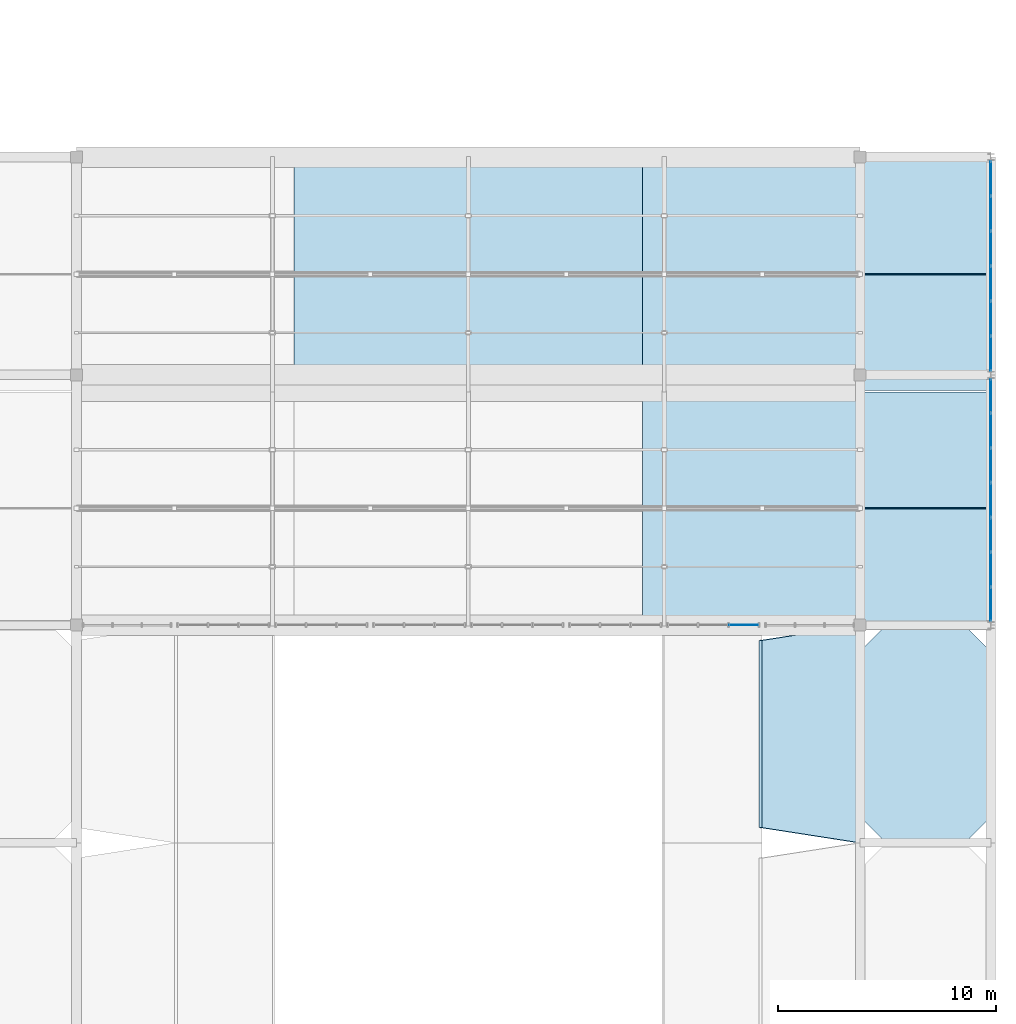
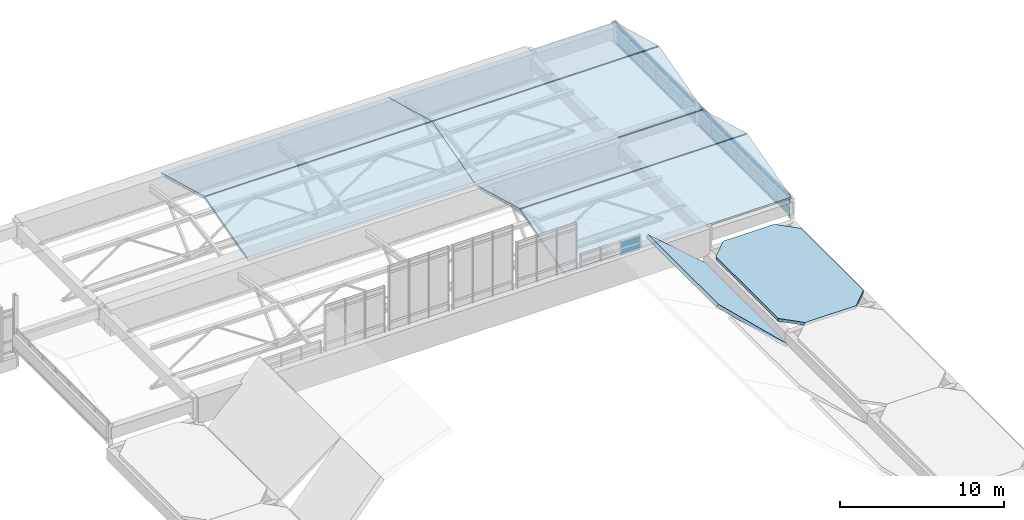
# One storey, part 73 of 82: 28 plates, 8 slabs, 3 elements without a shape of their own.
"""IFC4 building model written with IfcOpenShell, lengths in metres."""

import ifcopenshell
import ifcopenshell.guid

model = None  # the IFC model being written
_history = None  # IfcOwnerHistory: only IFC2X3 demands one
_inside = {}  # id of a spatial element -> (the spatial element, [elements in it])
_under = {}  # id of a project, library or spatial element -> (it, [spatial elements below it])
_declared = {}  # id of a project -> (the project, [libraries it declares])
_typed = {}  # id of a type object -> (the type object, [elements of that type])
_made_of = {}  # id of a material, layer set ... -> (it, [elements and type objects made of it])


def new_model(schema):
    """Start an empty IFC model of exactly this schema.

    Asked for "IFC4X3", IfcOpenShell would pick the latest addendum, in which some entities
    have other attributes; the version numbers below select the first issue.
    IFC2X3 requires an IfcOwnerHistory on every rooted entity: one is made here for all.
    """
    global model, _history
    if schema == "IFC4X3":
        model = ifcopenshell.file(schema_version=(4, 3, 0, 0))
    else:
        model = ifcopenshell.file(schema=schema)
    _inside.clear()
    _under.clear()
    _declared.clear()
    _typed.clear()
    _made_of.clear()
    _history = None
    if model.schema == "IFC2X3":
        org = make("IfcOrganization", Name="unknown")
        user = make(
            "IfcPersonAndOrganization",
            ThePerson=make("IfcPerson", FamilyName="unknown"),
            TheOrganization=org,
        )
        app = make(
            "IfcApplication",
            ApplicationDeveloper=org,
            Version="unknown",
            ApplicationFullName="unknown",
            ApplicationIdentifier="unknown",
        )
        _history = make(
            "IfcOwnerHistory",
            OwningUser=user,
            OwningApplication=app,
            ChangeAction="ADDED",
            CreationDate=0,
        )
    return model


def make(cls, **values):
    """One entity of the class cls with the attributes given. An attribute that is None is left unset."""
    return model.create_entity(
        cls, **{name: value for name, value in values.items() if value is not None}
    )


def rooted(cls, **values):
    """An entity with a GlobalId (a new one), such as an element, a storey or a relation."""
    return make(cls, GlobalId=ifcopenshell.guid.new(), OwnerHistory=_history, **values)


def si_unit(unit_type, name, prefix=None):
    """IfcSIUnit, for example si_unit("LENGTHUNIT", "METRE", prefix="MILLI")."""
    return make("IfcSIUnit", UnitType=unit_type, Prefix=prefix, Name=name)


def assignment(units):
    """IfcUnitAssignment: the units of a project."""
    return None if units is None else make("IfcUnitAssignment", Units=units)


def point(xyz):
    """IfcCartesianPoint."""
    return None if xyz is None else make("IfcCartesianPoint", Coordinates=xyz)


def direction(xyz):
    """IfcDirection."""
    return None if xyz is None else make("IfcDirection", DirectionRatios=xyz)


def frame(location, z_axis=None, x_axis=None):
    """IfcAxis2Placement3D, a coordinate frame: its origin and axes. An axis left out is left unset."""
    return make(
        "IfcAxis2Placement3D",
        Location=point(location),
        Axis=direction(z_axis),
        RefDirection=direction(x_axis),
    )


def frame_2d(location, x_axis=None):
    """IfcAxis2Placement2D, a coordinate frame in the plane: its origin and x axis."""
    return make(
        "IfcAxis2Placement2D", Location=point(location), RefDirection=direction(x_axis)
    )


def origin():
    """The frame at (0, 0, 0) with its axes left unset."""
    return frame((0.0, 0.0, 0.0))


def origin_2d():
    """The frame at (0, 0) in the plane with its x axis left unset."""
    return frame_2d((0.0, 0.0))


def place(relative_to, where):
    """IfcLocalPlacement: puts the frame where relative to a parent placement (None: the world)."""
    return make(
        "IfcLocalPlacement", PlacementRelTo=relative_to, RelativePlacement=where
    )


def context(
    kind, dimensions, precision=None, world=None, true_north=None, identifier=None
):
    """IfcGeometricRepresentationContext, for example the 3D "Model" context."""
    return make(
        "IfcGeometricRepresentationContext",
        ContextIdentifier=identifier,
        ContextType=kind,
        CoordinateSpaceDimension=dimensions,
        Precision=precision,
        WorldCoordinateSystem=world,
        TrueNorth=true_north,
    )


def subcontext(parent, identifier, kind, view, scale=None):
    """IfcGeometricRepresentationSubContext, for example "Body" below "Model"."""
    return make(
        "IfcGeometricRepresentationSubContext",
        ContextIdentifier=identifier,
        ContextType=kind,
        ParentContext=parent,
        TargetScale=scale,
        TargetView=view,
    )


def project(units=None, contexts=None):
    """IfcProject with its units and contexts."""
    return rooted(
        "IfcProject",
        Name="project",
        RepresentationContexts=contexts,
        UnitsInContext=assignment(units),
    )


def spatial(cls, under=None, at=None, **own):
    """A site, building, storey or space (cls), placed at a placement, below another one or the project."""
    s = rooted(cls, ObjectPlacement=at, **own)
    if under is not None:
        _under.setdefault(under.id(), (under, []))[1].append(s)
    return s


def polyline(points):
    """IfcPolyline through the points."""
    return make("IfcPolyline", Points=[point(p) for p in points])


def profile(cls, at=None, kind="AREA", **sizes):
    """A parametric profile (cls). Its sizes go by their IFC names, for example OverallWidth=200.0."""
    return make(cls, ProfileType=kind, Position=at, **sizes)


def rectangle(**sizes):
    """IfcRectangleProfileDef."""
    return profile("IfcRectangleProfileDef", **sizes)


def outline(outer, holes=None, kind="AREA"):
    """IfcArbitraryClosedProfileDef: a profile drawn as a closed curve; with holes, ...WithVoids."""
    if holes is None:
        return make("IfcArbitraryClosedProfileDef", ProfileType=kind, OuterCurve=outer)
    return make(
        "IfcArbitraryProfileDefWithVoids",
        ProfileType=kind,
        OuterCurve=outer,
        InnerCurves=holes,
    )


def extrude(swept, where, along, depth):
    """IfcExtrudedAreaSolid: the profile swept, set in the frame where, extruded along a direction by depth."""
    return make(
        "IfcExtrudedAreaSolid",
        SweptArea=swept,
        Position=where,
        ExtrudedDirection=direction(along),
        Depth=depth,
    )


def shape(context_of_items, identifier, shape_type, items):
    """IfcShapeRepresentation: the items that make up one representation, for example the "Body"."""
    return make(
        "IfcShapeRepresentation",
        ContextOfItems=context_of_items,
        RepresentationIdentifier=identifier,
        RepresentationType=shape_type,
        Items=items,
    )


def material(Name=None, Category=None):
    """IfcMaterial."""
    return make("IfcMaterial", Name=Name, Category=Category)


def layer(
    of_material, thickness, ventilated=None, Name=None, Category=None, Priority=None
):
    """IfcMaterialLayer: one layer of a wall or slab, of a material (None: an air gap)."""
    return make(
        "IfcMaterialLayer",
        Material=of_material,
        LayerThickness=thickness,
        IsVentilated=ventilated,
        Name=Name,
        Category=Category,
        Priority=Priority,
    )


def layer_set(layers, Name=None):
    """IfcMaterialLayerSet."""
    return make("IfcMaterialLayerSet", MaterialLayers=layers, LayerSetName=Name)


def made_of(thing, what):
    """Note that an element or type object is made of a material, layer set ...; save() writes the relation."""
    if what is not None:
        _made_of.setdefault(what.id(), (what, []))[1].append(thing)
    return thing


def type_object(cls, material=None, **own):
    """A type object (cls), such as IfcWallType, which elements share."""
    return made_of(rooted(cls, **own), material)


def element(
    cls,
    number,
    at=None,
    inside=None,
    cuts=None,
    type_object=None,
    material=None,
    context=None,
    identifier="Body",
    shape_type=None,
    held_by="IfcProductDefinitionShape",
    body=None,
    shapes=None,
    **own,
):
    """One element of the class cls, such as IfcWall. Its Tag is "e" and its number.

    at: its placement. inside: the storey or other place that contains it. cuts: it is an
    opening in that element (IfcRelVoidsElement). A single representation is given by context,
    identifier, shape_type and body (its items); several are given by shapes. held_by: the class
    of the entity that holds the representations. save() writes the other relations.
    """
    e = rooted(cls, Tag="e%d" % number, ObjectPlacement=at, **own)
    if body is not None:
        shapes = [shape(context, identifier, shape_type, body)]
    if shapes is not None:
        e.Representation = make(held_by, Representations=shapes)
    if inside is not None:
        _inside.setdefault(inside.id(), (inside, []))[1].append(e)
    if cuts is not None:
        rooted(
            "IfcRelVoidsElement", RelatingBuildingElement=cuts, RelatedOpeningElement=e
        )
    if type_object is not None:
        _typed.setdefault(type_object.id(), (type_object, []))[1].append(e)
    return made_of(e, material)


def aggregate(whole, parts):
    """IfcRelAggregates: a whole, such as a stair, and the parts it consists of."""
    return rooted("IfcRelAggregates", RelatingObject=whole, RelatedObjects=parts)


def save(model, path):
    """Write the relations noted so far, then the file.

    IfcRelAggregates (storeys below a building ...), IfcRelContainedInSpatialStructure (elements
    in a storey), IfcRelDefinesByType, IfcRelAssociatesMaterial and IfcRelDeclares: one each for
    every whole, place, type object, material and project.
    """
    for whole, parts in _under.values():
        aggregate(whole, parts)
    for where, things in _inside.values():
        rooted(
            "IfcRelContainedInSpatialStructure",
            RelatedElements=things,
            RelatingStructure=where,
        )
    for kind, things in _typed.values():
        rooted("IfcRelDefinesByType", RelatedObjects=things, RelatingType=kind)
    for what, things in _made_of.values():
        rooted("IfcRelAssociatesMaterial", RelatedObjects=things, RelatingMaterial=what)
    for by, libraries in _declared.values():
        rooted("IfcRelDeclares", RelatingContext=by, RelatedDefinitions=libraries)
    model.write(path)


model = new_model("IFC4")

# Units and contexts
model_context = context("Model", 3, precision=1e-05, world=origin(), true_north=direction((0.0, 1.0)))
body_context = subcontext(model_context, "Body", "Model", "MODEL_VIEW")
ifc_project = project(units=[si_unit("LENGTHUNIT", "METRE"), si_unit("AREAUNIT", "SQUARE_METRE"), si_unit("VOLUMEUNIT", "CUBIC_METRE"), si_unit("PLANEANGLEUNIT", "RADIAN"), si_unit("MASSUNIT", "GRAM", prefix="KILO")], contexts=[model_context])

# Site, building, storey
site_placement = place(None, origin())
site = spatial("IfcSite", under=ifc_project, at=site_placement, CompositionType="ELEMENT")
building_placement = place(site_placement, origin())
building = spatial("IfcBuilding", under=site, at=building_placement, Name="Mersad Railyard Sports Hall", CompositionType="ELEMENT")
storey_placement = place(building_placement, frame((0.0, 0.0, 13.199951171875)))
storey = spatial("IfcBuildingStorey", under=building, at=storey_placement, Name="L03", CompositionType="ELEMENT", Elevation=13.199951171875)

# Curtain wall, plates
ifc_material_1 = material(Name="Aluminium 6063-T6", Category="aluminium")
ifc_layer_1 = layer(ifc_material_1, 0.159912109375)
ifc_layer_set_1 = layer_set([ifc_layer_1], Name="Aluminium 6063-T6")
curtain_wall_type_1 = type_object("IfcCurtainWallType", Name="ARC-CW-CW21", PredefinedType="USERDEFINED", material=ifc_layer_set_1)
curtain_wall_1_placement = place(storey_placement, origin())
curtain_wall_1 = element("IfcCurtainWall", 1, at=curtain_wall_1_placement, inside=storey, type_object=curtain_wall_type_1, Name="Curtain wall CW21-0060", ObjectType="CURTAIN WALL", PredefinedType="USERDEFINED")
ifc_material_2 = material(Name="Solar-control glass", Category="glass")
ifc_layer_2 = layer(ifc_material_2, 0.028076171875)
ifc_layer_set_2 = layer_set([ifc_layer_2], Name="Solar-control glass")
plate_type = type_object("IfcPlateType", Name="ARC-CW-PNL01", PredefinedType="CURTAIN_PANEL", material=ifc_layer_set_2)
plate_1_placement = place(storey_placement, frame((179.0, 84.032958984375, 0.0849609375), z_axis=(0.0, 0.0, 1.0), x_axis=(0.0, -1.0, 0.0)))
plate_1 = element("IfcPlate", 2, at=plate_1_placement, type_object=plate_type, Name="CW21 Glazed panel 1-1", PredefinedType="CURTAIN_PANEL", context=body_context, shape_type="SweptSolid", body=[
    extrude(rectangle(XDim=1.55029296875, YDim=0.028076171875, at=origin_2d()), origin(), (0.0, 0.0, 1.0), 0.735107421875),
])
plate_2_placement = place(storey_placement, frame((179.0, 84.032958984375, 0.91015625), z_axis=(0.0, 0.0, 1.0), x_axis=(0.0, -1.0, 0.0)))
plate_2 = element("IfcPlate", 3, at=plate_2_placement, type_object=plate_type, Name="CW21 Glazed panel 1-2", PredefinedType="CURTAIN_PANEL", context=body_context, shape_type="SweptSolid", body=[
    extrude(rectangle(XDim=1.55029296875, YDim=0.028076171875, at=origin_2d()), origin(), (0.0, 0.0, 1.0), 0.735107421875),
])
plate_3_placement = place(storey_placement, frame((179.0, 82.4384765625, 0.0849609375), z_axis=(0.0, 0.0, 1.0), x_axis=(0.0, -1.0, 0.0)))
plate_3 = element("IfcPlate", 4, at=plate_3_placement, type_object=plate_type, Name="CW21 Glazed panel 2-1", PredefinedType="CURTAIN_PANEL", context=body_context, shape_type="SweptSolid", body=[
    extrude(rectangle(XDim=1.55029296875, YDim=0.028076171875, at=origin_2d()), origin(), (0.0, 0.0, 1.0), 0.735107421875),
])
plate_4_placement = place(storey_placement, frame((179.0, 82.4384765625, 0.91015625), z_axis=(0.0, 0.0, 1.0), x_axis=(0.0, -1.0, 0.0)))
plate_4 = element("IfcPlate", 5, at=plate_4_placement, type_object=plate_type, Name="CW21 Glazed panel 2-2", PredefinedType="CURTAIN_PANEL", context=body_context, shape_type="SweptSolid", body=[
    extrude(rectangle(XDim=1.55029296875, YDim=0.028076171875, at=origin_2d()), origin(), (0.0, 0.0, 1.0), 0.735107421875),
])
plate_5_placement = place(storey_placement, frame((179.0, 80.84423828125, 0.0849609375), z_axis=(0.0, 0.0, 1.0), x_axis=(0.0, -1.0, 0.0)))
plate_5 = element("IfcPlate", 6, at=plate_5_placement, type_object=plate_type, Name="CW21 Glazed panel 3-1", PredefinedType="CURTAIN_PANEL", context=body_context, shape_type="SweptSolid", body=[
    extrude(rectangle(XDim=1.55029296875, YDim=0.028076171875, at=origin_2d()), origin(), (0.0, 0.0, 1.0), 0.735107421875),
])
plate_6_placement = place(storey_placement, frame((179.0, 80.84423828125, 0.91015625), z_axis=(0.0, 0.0, 1.0), x_axis=(0.0, -1.0, 0.0)))
plate_6 = element("IfcPlate", 7, at=plate_6_placement, type_object=plate_type, Name="CW21 Glazed panel 3-2", PredefinedType="CURTAIN_PANEL", context=body_context, shape_type="SweptSolid", body=[
    extrude(rectangle(XDim=1.55029296875, YDim=0.028076171875, at=origin_2d()), origin(), (0.0, 0.0, 1.0), 0.735107421875),
])
plate_7_placement = place(storey_placement, frame((179.0, 79.25, 0.0849609375), z_axis=(0.0, 0.0, 1.0), x_axis=(0.0, -1.0, 0.0)))
plate_7 = element("IfcPlate", 8, at=plate_7_placement, type_object=plate_type, Name="CW21 Glazed panel 4-1", PredefinedType="CURTAIN_PANEL", context=body_context, shape_type="SweptSolid", body=[
    extrude(rectangle(XDim=1.55029296875, YDim=0.028076171875, at=origin_2d()), origin(), (0.0, 0.0, 1.0), 0.735107421875),
])
plate_8_placement = place(storey_placement, frame((179.0, 79.25, 0.91015625), z_axis=(0.0, 0.0, 1.0), x_axis=(0.0, -1.0, 0.0)))
plate_8 = element("IfcPlate", 9, at=plate_8_placement, type_object=plate_type, Name="CW21 Glazed panel 4-2", PredefinedType="CURTAIN_PANEL", context=body_context, shape_type="SweptSolid", body=[
    extrude(rectangle(XDim=1.55029296875, YDim=0.028076171875, at=origin_2d()), origin(), (0.0, 0.0, 1.0), 0.735107421875),
])
plate_9_placement = place(storey_placement, frame((179.0, 77.65576171875, 0.0849609375), z_axis=(0.0, 0.0, 1.0), x_axis=(0.0, -1.0, 0.0)))
plate_9 = element("IfcPlate", 10, at=plate_9_placement, type_object=plate_type, Name="CW21 Glazed panel 5-1", PredefinedType="CURTAIN_PANEL", context=body_context, shape_type="SweptSolid", body=[
    extrude(rectangle(XDim=1.55029296875, YDim=0.028076171875, at=origin_2d()), origin(), (0.0, 0.0, 1.0), 0.735107421875),
])
plate_10_placement = place(storey_placement, frame((179.0, 77.65576171875, 0.91015625), z_axis=(0.0, 0.0, 1.0), x_axis=(0.0, -1.0, 0.0)))
plate_10 = element("IfcPlate", 11, at=plate_10_placement, type_object=plate_type, Name="CW21 Glazed panel 5-2", PredefinedType="CURTAIN_PANEL", context=body_context, shape_type="SweptSolid", body=[
    extrude(rectangle(XDim=1.55029296875, YDim=0.028076171875, at=origin_2d()), origin(), (0.0, 0.0, 1.0), 0.735107421875),
])
plate_11_placement = place(storey_placement, frame((179.0, 76.0615234375, 0.0849609375), z_axis=(0.0, 0.0, 1.0), x_axis=(0.0, -1.0, 0.0)))
plate_11 = element("IfcPlate", 12, at=plate_11_placement, type_object=plate_type, Name="CW21 Glazed panel 6-1", PredefinedType="CURTAIN_PANEL", context=body_context, shape_type="SweptSolid", body=[
    extrude(rectangle(XDim=1.55029296875, YDim=0.028076171875, at=origin_2d()), origin(), (0.0, 0.0, 1.0), 0.735107421875),
])
plate_12_placement = place(storey_placement, frame((179.0, 76.0615234375, 0.91015625), z_axis=(0.0, 0.0, 1.0), x_axis=(0.0, -1.0, 0.0)))
plate_12 = element("IfcPlate", 13, at=plate_12_placement, type_object=plate_type, Name="CW21 Glazed panel 6-2", PredefinedType="CURTAIN_PANEL", context=body_context, shape_type="SweptSolid", body=[
    extrude(rectangle(XDim=1.55029296875, YDim=0.028076171875, at=origin_2d()), origin(), (0.0, 0.0, 1.0), 0.735107421875),
])
plate_13_placement = place(storey_placement, frame((179.0, 74.467041015625, 0.0849609375), z_axis=(0.0, 0.0, 1.0), x_axis=(0.0, -1.0, 0.0)))
plate_13 = element("IfcPlate", 14, at=plate_13_placement, type_object=plate_type, Name="CW21 Glazed panel 7-1", PredefinedType="CURTAIN_PANEL", context=body_context, shape_type="SweptSolid", body=[
    extrude(rectangle(XDim=1.55029296875, YDim=0.028076171875, at=origin_2d()), origin(), (0.0, 0.0, 1.0), 0.735107421875),
])
plate_14_placement = place(storey_placement, frame((179.0, 74.467041015625, 0.91015625), z_axis=(0.0, 0.0, 1.0), x_axis=(0.0, -1.0, 0.0)))
plate_14 = element("IfcPlate", 15, at=plate_14_placement, type_object=plate_type, Name="CW21 Glazed panel 7-2", PredefinedType="CURTAIN_PANEL", context=body_context, shape_type="SweptSolid", body=[
    extrude(rectangle(XDim=1.55029296875, YDim=0.028076171875, at=origin_2d()), origin(), (0.0, 0.0, 1.0), 0.735107421875),
])
aggregate(curtain_wall_1, [plate_1, plate_2, plate_3, plate_4, plate_5, plate_6, plate_7, plate_8, plate_9, plate_10, plate_11, plate_12, plate_13, plate_14])

ifc_layer_3 = layer(ifc_material_1, 0.159912109375)
ifc_layer_set_3 = layer_set([ifc_layer_3], Name="Aluminium 6063-T6")
curtain_wall_type_2 = type_object("IfcCurtainWallType", Name="ARC-CW-CW24", PredefinedType="USERDEFINED", material=ifc_layer_set_3)
curtain_wall_2_placement = place(storey_placement, origin())
curtain_wall_2 = element("IfcCurtainWall", 16, at=curtain_wall_2_placement, inside=storey, type_object=curtain_wall_type_2, Name="Curtain wall CW24-0063", ObjectType="CURTAIN WALL", PredefinedType="USERDEFINED")
plate_15_placement = place(storey_placement, frame((179.0, 94.02490234375, 0.0849609375), z_axis=(0.0, 0.0, 1.0), x_axis=(0.0, -1.0, 0.0)))
plate_15 = element("IfcPlate", 17, at=plate_15_placement, type_object=plate_type, Name="CW24 Glazed panel 1-1", PredefinedType="CURTAIN_PANEL", context=body_context, shape_type="SweptSolid", body=[
    extrude(rectangle(XDim=1.56591796875, YDim=0.028076171875, at=origin_2d()), origin(), (0.0, 0.0, 1.0), 0.735107421875),
])
plate_16_placement = place(storey_placement, frame((179.0, 94.02490234375, 0.91015625), z_axis=(0.0, 0.0, 1.0), x_axis=(0.0, -1.0, 0.0)))
plate_16 = element("IfcPlate", 18, at=plate_16_placement, type_object=plate_type, Name="CW24 Glazed panel 1-2", PredefinedType="CURTAIN_PANEL", context=body_context, shape_type="SweptSolid", body=[
    extrude(rectangle(XDim=1.56591796875, YDim=0.028076171875, at=origin_2d()), origin(), (0.0, 0.0, 1.0), 0.735107421875),
])
plate_17_placement = place(storey_placement, frame((179.0, 92.4150390625, 0.0849609375), z_axis=(0.0, 0.0, 1.0), x_axis=(0.0, -1.0, 0.0)))
plate_17 = element("IfcPlate", 19, at=plate_17_placement, type_object=plate_type, Name="CW24 Glazed panel 2-1", PredefinedType="CURTAIN_PANEL", context=body_context, shape_type="SweptSolid", body=[
    extrude(rectangle(XDim=1.56591796875, YDim=0.028076171875, at=origin_2d()), origin(), (0.0, 0.0, 1.0), 0.735107421875),
])
plate_18_placement = place(storey_placement, frame((179.0, 92.4150390625, 0.91015625), z_axis=(0.0, 0.0, 1.0), x_axis=(0.0, -1.0, 0.0)))
plate_18 = element("IfcPlate", 20, at=plate_18_placement, type_object=plate_type, Name="CW24 Glazed panel 2-2", PredefinedType="CURTAIN_PANEL", context=body_context, shape_type="SweptSolid", body=[
    extrude(rectangle(XDim=1.56591796875, YDim=0.028076171875, at=origin_2d()), origin(), (0.0, 0.0, 1.0), 0.735107421875),
])
plate_19_placement = place(storey_placement, frame((179.0, 90.804931640625, 0.0849609375), z_axis=(0.0, 0.0, 1.0), x_axis=(0.0, -1.0, 0.0)))
plate_19 = element("IfcPlate", 21, at=plate_19_placement, type_object=plate_type, Name="CW24 Glazed panel 3-1", PredefinedType="CURTAIN_PANEL", context=body_context, shape_type="SweptSolid", body=[
    extrude(rectangle(XDim=1.56591796875, YDim=0.028076171875, at=origin_2d()), origin(), (0.0, 0.0, 1.0), 0.735107421875),
])
plate_20_placement = place(storey_placement, frame((179.0, 90.804931640625, 0.91015625), z_axis=(0.0, 0.0, 1.0), x_axis=(0.0, -1.0, 0.0)))
plate_20 = element("IfcPlate", 22, at=plate_20_placement, type_object=plate_type, Name="CW24 Glazed panel 3-2", PredefinedType="CURTAIN_PANEL", context=body_context, shape_type="SweptSolid", body=[
    extrude(rectangle(XDim=1.56591796875, YDim=0.028076171875, at=origin_2d()), origin(), (0.0, 0.0, 1.0), 0.735107421875),
])
plate_21_placement = place(storey_placement, frame((179.0, 89.195068359375, 0.0849609375), z_axis=(0.0, 0.0, 1.0), x_axis=(0.0, -1.0, 0.0)))
plate_21 = element("IfcPlate", 23, at=plate_21_placement, type_object=plate_type, Name="CW24 Glazed panel 4-1", PredefinedType="CURTAIN_PANEL", context=body_context, shape_type="SweptSolid", body=[
    extrude(rectangle(XDim=1.56591796875, YDim=0.028076171875, at=origin_2d()), origin(), (0.0, 0.0, 1.0), 0.735107421875),
])
plate_22_placement = place(storey_placement, frame((179.0, 89.195068359375, 0.91015625), z_axis=(0.0, 0.0, 1.0), x_axis=(0.0, -1.0, 0.0)))
plate_22 = element("IfcPlate", 24, at=plate_22_placement, type_object=plate_type, Name="CW24 Glazed panel 4-2", PredefinedType="CURTAIN_PANEL", context=body_context, shape_type="SweptSolid", body=[
    extrude(rectangle(XDim=1.56591796875, YDim=0.028076171875, at=origin_2d()), origin(), (0.0, 0.0, 1.0), 0.735107421875),
])
plate_23_placement = place(storey_placement, frame((179.0, 87.5849609375, 0.0849609375), z_axis=(0.0, 0.0, 1.0), x_axis=(0.0, -1.0, 0.0)))
plate_23 = element("IfcPlate", 25, at=plate_23_placement, type_object=plate_type, Name="CW24 Glazed panel 5-1", PredefinedType="CURTAIN_PANEL", context=body_context, shape_type="SweptSolid", body=[
    extrude(rectangle(XDim=1.56591796875, YDim=0.028076171875, at=origin_2d()), origin(), (0.0, 0.0, 1.0), 0.735107421875),
])
plate_24_placement = place(storey_placement, frame((179.0, 87.5849609375, 0.91015625), z_axis=(0.0, 0.0, 1.0), x_axis=(0.0, -1.0, 0.0)))
plate_24 = element("IfcPlate", 26, at=plate_24_placement, type_object=plate_type, Name="CW24 Glazed panel 5-2", PredefinedType="CURTAIN_PANEL", context=body_context, shape_type="SweptSolid", body=[
    extrude(rectangle(XDim=1.56591796875, YDim=0.028076171875, at=origin_2d()), origin(), (0.0, 0.0, 1.0), 0.735107421875),
])
plate_25_placement = place(storey_placement, frame((179.0, 85.97509765625, 0.0849609375), z_axis=(0.0, 0.0, 1.0), x_axis=(0.0, -1.0, 0.0)))
plate_25 = element("IfcPlate", 27, at=plate_25_placement, type_object=plate_type, Name="CW24 Glazed panel 6-1", PredefinedType="CURTAIN_PANEL", context=body_context, shape_type="SweptSolid", body=[
    extrude(rectangle(XDim=1.56591796875, YDim=0.028076171875, at=origin_2d()), origin(), (0.0, 0.0, 1.0), 0.735107421875),
])
plate_26_placement = place(storey_placement, frame((179.0, 85.97509765625, 0.91015625), z_axis=(0.0, 0.0, 1.0), x_axis=(0.0, -1.0, 0.0)))
plate_26 = element("IfcPlate", 28, at=plate_26_placement, type_object=plate_type, Name="CW24 Glazed panel 6-2", PredefinedType="CURTAIN_PANEL", context=body_context, shape_type="SweptSolid", body=[
    extrude(rectangle(XDim=1.56591796875, YDim=0.028076171875, at=origin_2d()), origin(), (0.0, 0.0, 1.0), 0.735107421875),
])
aggregate(curtain_wall_2, [plate_15, plate_16, plate_17, plate_18, plate_19, plate_20, plate_21, plate_22, plate_23, plate_24, plate_25, plate_26])

ifc_layer_4 = layer(ifc_material_1, 0.199951171875)
ifc_layer_set_4 = layer_set([ifc_layer_4], Name="Aluminium 6063-T6")
curtain_wall_type_3 = type_object("IfcCurtainWallType", Name="ARC-CW-CW43", PredefinedType="USERDEFINED", material=ifc_layer_set_4)
curtain_wall_3_placement = place(storey_placement, origin())
curtain_wall_3 = element("IfcCurtainWall", 29, at=curtain_wall_3_placement, inside=storey, type_object=curtain_wall_type_3, Name="Curtain wall CW43-0125", ObjectType="CURTAIN WALL", PredefinedType="USERDEFINED")
plate_27_placement = place(storey_placement, frame((167.64990234375, 73.5, 1.43505859375), z_axis=(0.0, 0.0, 1.0), x_axis=(1.0, 0.0, 0.0)))
plate_27 = element("IfcPlate", 30, at=plate_27_placement, type_object=plate_type, Name="CW43 Glazed panel 3-1", PredefinedType="CURTAIN_PANEL", context=body_context, shape_type="SweptSolid", body=[
    extrude(rectangle(XDim=1.35595703125, YDim=0.028076171875, at=origin_2d()), origin(), (0.0, 0.0, 1.0), 0.47607421875),
])
plate_28_placement = place(storey_placement, frame((167.64990234375, 73.5, 2.0009765625), z_axis=(0.0, 0.0, 1.0), x_axis=(1.0, 0.0, 0.0)))
plate_28 = element("IfcPlate", 31, at=plate_28_placement, type_object=plate_type, Name="CW43 Glazed panel 3-2", PredefinedType="CURTAIN_PANEL", context=body_context, shape_type="SweptSolid", body=[
    extrude(rectangle(XDim=1.35595703125, YDim=0.028076171875, at=origin_2d()), origin(), (0.0, 0.0, 1.0), 0.47607421875),
])
aggregate(curtain_wall_3, [plate_27, plate_28])

# Slabs
ifc_material_3 = material(Name="Architectural concrete C50/60", Category="concrete")
ifc_layer_5 = layer(ifc_material_3, 0.219970703125)
ifc_layer_set_5 = layer_set([ifc_layer_5], Name="Architectural concrete C50/60")
slab_type_1 = type_object("IfcSlabType", Name="STR-SL-RF01", PredefinedType="ROOF", material=ifc_layer_set_5)
slab_1_placement = place(storey_placement, frame((0.0, 0.0, -0.219970703125)))
element("IfcSlab", 32, at=slab_1_placement, inside=storey, type_object=slab_type_1, Name="Slab RS01-0112", PredefinedType="ROOF", context=body_context, shape_type="SweptSolid", body=[
    extrude(outline(polyline([(174.199951171875, 63.5), (177.800048828125, 63.5), (179.0, 64.699951171875), (179.0, 72.300048828125), (177.800048828125, 73.5), (174.199951171875, 73.5), (173.0, 72.300048828125), (173.0, 64.699951171875), (174.199951171875, 63.5)])), origin(), (0.0, 0.0, 1.0), 0.219970703125),
])
slab_2_placement = place(storey_placement, frame((168.5, 64.199951171875, 2.932373046875), z_axis=(0.676375800425, 0.0, 0.736556702909), x_axis=(0.731769859569, -0.113822926833, -0.671980069611)))
element("IfcSlab", 33, at=slab_2_placement, inside=storey, type_object=slab_type_1, Name="Barrel vault shell slab bay 7 seg 8", PredefinedType="ROOF", context=body_context, shape_type="SweptSolid", body=[
    extrude(outline(polyline([(0.0, 0.0), (6.1494743752516765, -5.551115123125783e-17), (5.0112451069227815, 9.935010525043218), (-0.9788882862830478, 8.544206073124325), (0.0, 0.0)])), origin(), (0.0, 0.0, -1.0), 0.219970703125),
])
ifc_material_4 = material(Name="Architectural concrete C40/50", Category="concrete")
ifc_layer_6 = layer(ifc_material_4, 0.199951171875)
ifc_layer_set_6 = layer_set([ifc_layer_6], Name="Architectural concrete C40/50")
slab_type_2 = type_object("IfcSlabType", Name="STR-SL-RF02", PredefinedType="ROOF", material=ifc_layer_set_6)
slab_3_placement = place(storey_placement, frame((163.0, 73.5, 1.60009765625), z_axis=(0.0, -0.264036044726, 0.964512813334), x_axis=(1.0, 0.0, 0.0)))
element("IfcSlab", 34, at=slab_3_placement, inside=storey, type_object=slab_type_2, Name="Climbing hall folded shell roof F1A", PredefinedType="ROOF", context=body_context, shape_type="SweptSolid", body=[
    extrude(outline(polyline([(0.0, 0.0), (16.0, 0.0), (16.0, 5.531249418096996), (0.0, 5.531249418096996), (0.0, 0.0)])), origin(), (0.0, 0.0, -1.0), 0.199951171875),
])
for number, where, z_axis, x_axis, name in (
    (35, (163.0, 78.9150390625, 3.060546875), (0.0, 0.265891965554, 0.964002833323), (1.0, 0.0, 0.0), "Climbing hall folded shell roof F1B"),
    (36, (147.0, 84.2900390625, 1.60009765625), (0.0, -0.265891965554, 0.964002833323), (1.0, 0.0, 0.0), "Climbing hall folded shell roof F2A"),
):
    element("IfcSlab", number, at=place(storey_placement, frame(where, z_axis=z_axis, x_axis=x_axis)), inside=storey, type_object=slab_type_2, Name=name, PredefinedType="ROOF", context=body_context, shape_type="SweptSolid", body=[
        extrude(outline(polyline([(0.0, 0.0), (16.0, 0.0), (16.0, 5.492641403086588), (0.0, 5.492641403086588), (0.0, 0.0)])), origin(), (0.0, 0.0, -1.0), 0.199951171875),
    ])
slab_4_placement = place(storey_placement, frame((147.0, 89.6650390625, 3.060546875), z_axis=(0.0, 0.264036044726, 0.964512813334), x_axis=(1.0, 0.0, 0.0)))
element("IfcSlab", 37, at=slab_4_placement, inside=storey, type_object=slab_type_2, Name="Climbing hall folded shell roof F2B", PredefinedType="ROOF", context=body_context, shape_type="SweptSolid", body=[
    extrude(outline(polyline([(0.0, 0.0), (16.0, 0.0), (16.0, 5.531249418096996), (0.0, 5.531249418096996), (0.0, 0.0)])), origin(), (0.0, 0.0, -1.0), 0.199951171875),
])
slab_5_placement = place(storey_placement, frame((163.0, 84.2900390625, 1.60009765625), z_axis=(0.0, -0.265891965554, 0.964002833323), x_axis=(1.0, 0.0, 0.0)))
element("IfcSlab", 38, at=slab_5_placement, inside=storey, type_object=slab_type_2, Name="Climbing hall folded shell roof F2A", PredefinedType="ROOF", context=body_context, shape_type="SweptSolid", body=[
    extrude(outline(polyline([(0.0, 0.0), (16.0, 0.0), (16.0, 5.492641403086588), (0.0, 5.492641403086588), (0.0, 0.0)])), origin(), (0.0, 0.0, -1.0), 0.199951171875),
])
slab_6_placement = place(storey_placement, frame((163.0, 89.6650390625, 3.060546875), z_axis=(0.0, 0.264036044726, 0.964512813334), x_axis=(1.0, 0.0, 0.0)))
element("IfcSlab", 39, at=slab_6_placement, inside=storey, type_object=slab_type_2, Name="Climbing hall folded shell roof F2B", PredefinedType="ROOF", context=body_context, shape_type="SweptSolid", body=[
    extrude(outline(polyline([(0.0, 0.0), (16.0, 0.0), (16.0, 5.531249418096996), (0.0, 5.531249418096996), (0.0, 0.0)])), origin(), (0.0, 0.0, -1.0), 0.199951171875),
])

save(model, "model.ifc")
